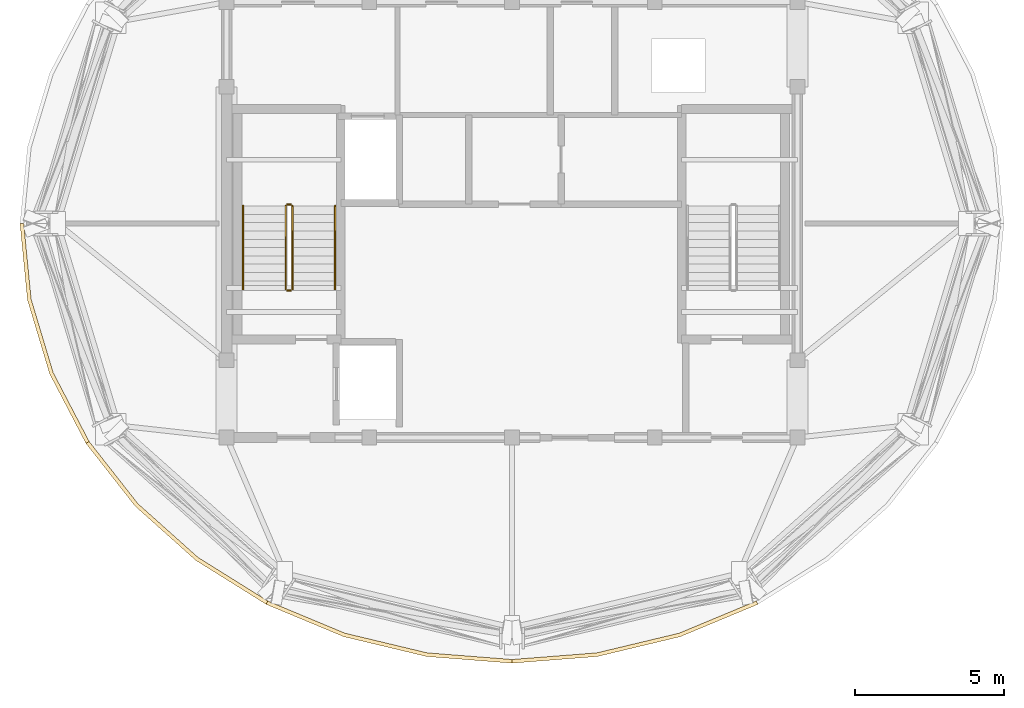
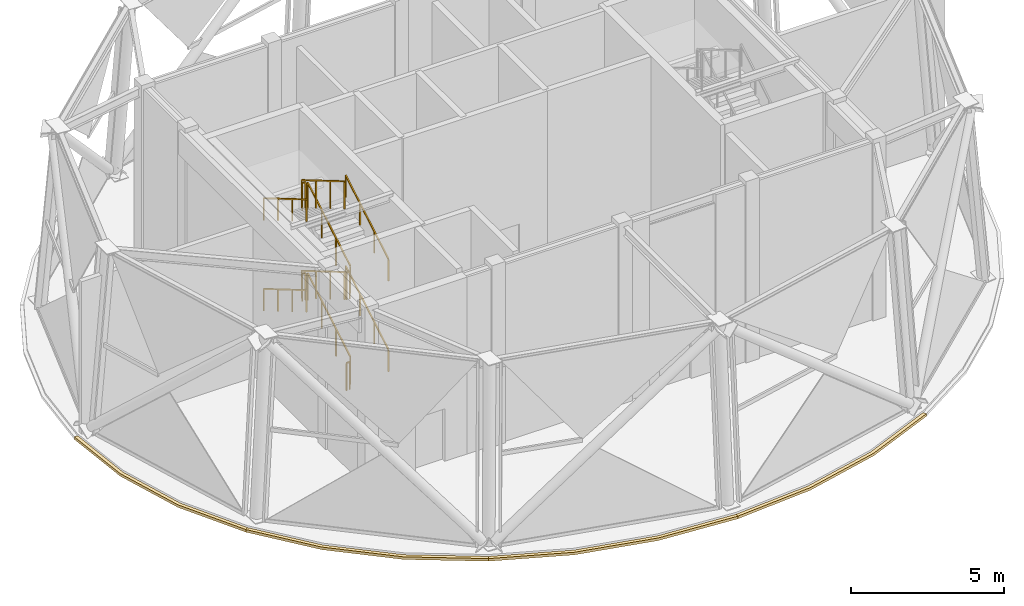
# One storey, part 7 of 9: 12 railings, 4 coverings.
"""IFC4 building model written with IfcOpenShell, lengths in metres."""

from ifc_helpers import new_model, si_unit, direction, frame, origin, origin_2d, place, context, subcontext, project, spatial, polyline, rectangle, outline, extrude, material, layer, layer_set, type_object, element, save


model = new_model("IFC4")

# Units and contexts
model_context = context("Model", 3, precision=1e-05, world=origin(), true_north=direction((0.0, 1.0)))
body_context = subcontext(model_context, "Body", "Model", "MODEL_VIEW")
ifc_project = project(units=[si_unit("LENGTHUNIT", "METRE"), si_unit("AREAUNIT", "SQUARE_METRE"), si_unit("VOLUMEUNIT", "CUBIC_METRE"), si_unit("PLANEANGLEUNIT", "RADIAN"), si_unit("MASSUNIT", "GRAM", prefix="KILO")], contexts=[model_context])

# Site, building, storey
site_placement = place(None, origin())
site = spatial("IfcSite", under=ifc_project, at=site_placement, CompositionType="ELEMENT")
building_placement = place(site_placement, origin())
building = spatial("IfcBuilding", under=site, at=building_placement, Name="Vantalir Tower", CompositionType="ELEMENT")
storey_placement = place(building_placement, frame((0.0, 0.0, 319.0)))
storey = spatial("IfcBuildingStorey", under=building, at=storey_placement, Name="L78", CompositionType="ELEMENT", Elevation=319.0)

# Coverings
ifc_material_1 = material(Name="Anodised champagne aluminium sill fascia", Category="aluminium")
ifc_layer = layer(ifc_material_1, 0.125)
ifc_layer_set = layer_set([ifc_layer], Name="Anodised champagne aluminium sill fascia")
covering_type = type_object("IfcCoveringType", Name="COV-SLAB-FASCIA-125", PredefinedType="CLADDING", material=ifc_layer_set)
covering_1_placement = place(storey_placement, frame((0.0, 0.0, -0.179931640625)))
element("IfcCovering", 1, at=covering_1_placement, inside=storey, type_object=covering_type, Name="L78 Perimeter Slab-Edge Sill Fascia 07", PredefinedType="CLADDING", context=body_context, shape_type="SweptSolid", body=[
    extrude(outline(polyline([(14.948974609375, 25.0), (15.199951171875, 22.431884765625), (15.947021484375, 19.94091796875), (17.166015625, 17.60400390625), (17.27490234375, 17.6669921875), (16.06494140625, 19.98388671875), (15.323974609375, 22.452880859375), (15.073974609375, 25.0), (14.948974609375, 25.0)])), origin(), (0.0, 0.0, 1.0), 0.10498046875),
])
covering_2_placement = place(storey_placement, frame((0.0, 0.0, -0.179931640625)))
element("IfcCovering", 2, at=covering_2_placement, inside=storey, type_object=covering_type, Name="L78 Perimeter Slab-Edge Sill Fascia 08", PredefinedType="CLADDING", context=body_context, shape_type="SweptSolid", body=[
    extrude(outline(polyline([(17.166015625, 17.60400390625), (18.821044921875, 15.492919921875), (20.861083984375, 13.6689453125), (23.22412109375, 12.19091796875), (23.287109375, 12.299072265625), (20.94189453125, 13.764892578125), (18.9169921875, 15.572998046875), (17.27490234375, 17.6669921875), (17.166015625, 17.60400390625)])), origin(), (0.0, 0.0, 1.0), 0.10498046875),
])
covering_3_placement = place(storey_placement, frame((0.0, 0.0, -0.179931640625)))
element("IfcCovering", 3, at=covering_3_placement, inside=storey, type_object=covering_type, Name="L78 Perimeter Slab-Edge Sill Fascia 09", PredefinedType="CLADDING", context=body_context, shape_type="SweptSolid", body=[
    extrude(outline(polyline([(23.22412109375, 12.19091796875), (25.839111328125, 11.10107421875), (28.6259765625, 10.43408203125), (31.5, 10.208984375), (31.5, 10.333984375), (28.64794921875, 10.556884765625), (25.882080078125, 11.218017578125), (23.287109375, 12.299072265625), (23.22412109375, 12.19091796875)])), origin(), (0.0, 0.0, 1.0), 0.10498046875),
])
covering_4_placement = place(storey_placement, frame((0.0, 0.0, -0.179931640625)))
element("IfcCovering", 4, at=covering_4_placement, inside=storey, type_object=covering_type, Name="L78 Perimeter Slab-Edge Sill Fascia 10", PredefinedType="CLADDING", context=body_context, shape_type="SweptSolid", body=[
    extrude(outline(polyline([(31.5, 10.208984375), (34.3740234375, 10.43408203125), (37.160888671875, 11.10107421875), (39.77587890625, 12.19091796875), (39.712890625, 12.299072265625), (37.117919921875, 11.218017578125), (34.35205078125, 10.556884765625), (31.5, 10.333984375), (31.5, 10.208984375)])), origin(), (0.0, 0.0, 1.0), 0.10498046875),
])

# Railings
ifc_material_2 = material(Name="Anodised aluminium and stainless steel guard", Category="steel")
railing_type_1 = type_object("IfcRailingType", Name="RAL-GUARD-1120", PredefinedType="GUARDRAIL", material=ifc_material_2)
railing_1_placement = place(storey_placement, frame((24.110107421875, 22.7900390625, 0.164794921875)))
element("IfcRailing", 5, at=railing_1_placement, inside=storey, type_object=railing_type_1, Name="L78 ST1 stair guard 1", PredefinedType="GUARDRAIL", context=body_context, shape_type="SweptSolid", body=[
    extrude(rectangle(XDim=0.048095703125, YDim=0.048095703125, at=origin_2d()), frame((0.0, 0.0, 1.09619140625), z_axis=(0.0, 0.861851137157, 0.507161332695), x_axis=(-1.0, 0.0, 0.0)), (0.0, 0.0, 1.0), 3.248779296875),
    extrude(rectangle(XDim=0.0419921875, YDim=0.0419921875, at=origin_2d()), origin(), (0.0, 0.0, 1.0), 1.072021484375),
    extrude(rectangle(XDim=0.0419921875, YDim=0.0419921875, at=origin_2d()), frame((0.0, 0.933349609375, 0.54931640625)), (0.0, 0.0, 1.0), 1.072021484375),
    extrude(rectangle(XDim=0.0419921875, YDim=0.0419921875, at=origin_2d()), frame((0.0, 1.86669921875, 1.098388671875)), (0.0, 0.0, 1.0), 1.072021484375),
    extrude(rectangle(XDim=0.0419921875, YDim=0.0419921875, at=origin_2d()), frame((0.0, 2.800048828125, 1.647705078125)), (0.0, 0.0, 1.0), 1.072021484375),
])
railing_2_placement = place(storey_placement, frame((24.06005859375, 25.639892578125, 1.8125)))
element("IfcRailing", 6, at=railing_2_placement, inside=storey, type_object=railing_type_1, Name="L78 ST1 stair guard 2", PredefinedType="GUARDRAIL", context=body_context, shape_type="SweptSolid", body=[
    extrude(rectangle(XDim=0.048095703125, YDim=0.048095703125, at=origin_2d()), frame((0.0, 0.0, 1.09619140625), z_axis=(-1.0, 0.0, 0.0), x_axis=(0.0, -1.0, 0.0)), (0.0, 0.0, 1.0), 0.1201171875),
    extrude(rectangle(XDim=0.0419921875, YDim=0.0419921875, at=origin_2d()), origin(), (0.0, 0.0, 1.0), 1.072021484375),
    extrude(rectangle(XDim=0.0419921875, YDim=0.0419921875, at=origin_2d()), frame((-0.1201171875, 0.0, 0.0)), (0.0, 0.0, 1.0), 1.072021484375),
])
railing_3_placement = place(storey_placement, frame((23.889892578125, 25.590087890625, 1.977294921875)))
element("IfcRailing", 7, at=railing_3_placement, inside=storey, type_object=railing_type_1, Name="L78 ST1 stair guard 3", PredefinedType="GUARDRAIL", context=body_context, shape_type="SweptSolid", body=[
    extrude(rectangle(XDim=0.048095703125, YDim=0.048095703125, at=origin_2d()), frame((0.0, 0.0, 1.09619140625), z_axis=(0.0, -0.861851137157, 0.507161332695), x_axis=(1.0, 0.0, 0.0)), (0.0, 0.0, 1.0), 3.248779296875),
    extrude(rectangle(XDim=0.0419921875, YDim=0.0419921875, at=origin_2d()), origin(), (0.0, 0.0, 1.0), 1.072021484375),
    extrude(rectangle(XDim=0.0419921875, YDim=0.0419921875, at=origin_2d()), frame((0.0, -0.933349609375, 0.54931640625)), (0.0, 0.0, 1.0), 1.072021484375),
    extrude(rectangle(XDim=0.0419921875, YDim=0.0419921875, at=origin_2d()), frame((0.0, -1.86669921875, 1.098388671875)), (0.0, 0.0, 1.0), 1.072021484375),
    extrude(rectangle(XDim=0.0419921875, YDim=0.0419921875, at=origin_2d()), frame((0.0, -2.800048828125, 1.647705078125)), (0.0, 0.0, 1.0), 1.072021484375),
])
railing_4_placement = place(storey_placement, frame((24.06005859375, 22.739990234375, 3.625)))
element("IfcRailing", 8, at=railing_4_placement, inside=storey, type_object=railing_type_1, Name="L78 ST1 stair guard 4", PredefinedType="GUARDRAIL", context=body_context, shape_type="SweptSolid", body=[
    extrude(rectangle(XDim=0.048095703125, YDim=0.048095703125, at=origin_2d()), frame((0.0, 0.0, 1.09619140625), z_axis=(-1.0, 0.0, 0.0), x_axis=(0.0, -1.0, 0.0)), (0.0, 0.0, 1.0), 0.1201171875),
    extrude(rectangle(XDim=0.0419921875, YDim=0.0419921875, at=origin_2d()), origin(), (0.0, 0.0, 1.0), 1.072021484375),
    extrude(rectangle(XDim=0.0419921875, YDim=0.0419921875, at=origin_2d()), frame((-0.1201171875, 0.0, 0.0)), (0.0, 0.0, 1.0), 1.072021484375),
])
railing_5_placement = place(storey_placement, frame((24.110107421875, 22.7900390625, 3.789794921875)))
element("IfcRailing", 9, at=railing_5_placement, inside=storey, type_object=railing_type_1, Name="L78 ST1 stair guard 5", PredefinedType="GUARDRAIL", context=body_context, shape_type="SweptSolid", body=[
    extrude(rectangle(XDim=0.048095703125, YDim=0.048095703125, at=origin_2d()), frame((0.0, 0.0, 1.09619140625), z_axis=(0.0, 0.861851137157, 0.507161332695), x_axis=(-1.0, 0.0, 0.0)), (0.0, 0.0, 1.0), 3.248779296875),
    extrude(rectangle(XDim=0.0419921875, YDim=0.0419921875, at=origin_2d()), origin(), (0.0, 0.0, 1.0), 1.072021484375),
    extrude(rectangle(XDim=0.0419921875, YDim=0.0419921875, at=origin_2d()), frame((0.0, 0.933349609375, 0.54931640625)), (0.0, 0.0, 1.0), 1.072021484375),
    extrude(rectangle(XDim=0.0419921875, YDim=0.0419921875, at=origin_2d()), frame((0.0, 1.86669921875, 1.098388671875)), (0.0, 0.0, 1.0), 1.072021484375),
    extrude(rectangle(XDim=0.0419921875, YDim=0.0419921875, at=origin_2d()), frame((0.0, 2.800048828125, 1.647705078125)), (0.0, 0.0, 1.0), 1.072021484375),
])
railing_6_placement = place(storey_placement, frame((24.06005859375, 25.639892578125, 5.4375)))
element("IfcRailing", 10, at=railing_6_placement, inside=storey, type_object=railing_type_1, Name="L78 ST1 stair guard 6", PredefinedType="GUARDRAIL", context=body_context, shape_type="SweptSolid", body=[
    extrude(rectangle(XDim=0.048095703125, YDim=0.048095703125, at=origin_2d()), frame((0.0, 0.0, 1.09619140625), z_axis=(-1.0, 0.0, 0.0), x_axis=(0.0, -1.0, 0.0)), (0.0, 0.0, 1.0), 0.1201171875),
    extrude(rectangle(XDim=0.0419921875, YDim=0.0419921875, at=origin_2d()), origin(), (0.0, 0.0, 1.0), 1.072021484375),
    extrude(rectangle(XDim=0.0419921875, YDim=0.0419921875, at=origin_2d()), frame((-0.1201171875, 0.0, 0.0)), (0.0, 0.0, 1.0), 1.072021484375),
])
railing_7_placement = place(storey_placement, frame((23.889892578125, 25.590087890625, 5.602294921875)))
element("IfcRailing", 11, at=railing_7_placement, inside=storey, type_object=railing_type_1, Name="L78 ST1 stair guard 7", PredefinedType="GUARDRAIL", context=body_context, shape_type="SweptSolid", body=[
    extrude(rectangle(XDim=0.048095703125, YDim=0.048095703125, at=origin_2d()), frame((0.0, 0.0, 1.09619140625), z_axis=(0.0, -0.861851137157, 0.507161332695), x_axis=(1.0, 0.0, 0.0)), (0.0, 0.0, 1.0), 3.248779296875),
    extrude(rectangle(XDim=0.0419921875, YDim=0.0419921875, at=origin_2d()), origin(), (0.0, 0.0, 1.0), 1.072021484375),
    extrude(rectangle(XDim=0.0419921875, YDim=0.0419921875, at=origin_2d()), frame((0.0, -0.933349609375, 0.54931640625)), (0.0, 0.0, 1.0), 1.072021484375),
    extrude(rectangle(XDim=0.0419921875, YDim=0.0419921875, at=origin_2d()), frame((0.0, -1.86669921875, 1.098388671875)), (0.0, 0.0, 1.0), 1.072021484375),
    extrude(rectangle(XDim=0.0419921875, YDim=0.0419921875, at=origin_2d()), frame((0.0, -2.800048828125, 1.647705078125)), (0.0, 0.0, 1.0), 1.072021484375),
])
railing_8_placement = place(storey_placement, frame((24.06005859375, 22.739990234375, 0.0)))
element("IfcRailing", 12, at=railing_8_placement, inside=storey, type_object=railing_type_1, Name="L78 ST1 stair guard 8", PredefinedType="GUARDRAIL", context=body_context, shape_type="SweptSolid", body=[
    extrude(rectangle(XDim=0.048095703125, YDim=0.048095703125, at=origin_2d()), frame((0.0, 0.0, 1.09619140625), z_axis=(-1.0, 0.0, 0.0), x_axis=(0.0, -1.0, 0.0)), (0.0, 0.0, 1.0), 0.1201171875),
    extrude(rectangle(XDim=0.0419921875, YDim=0.0419921875, at=origin_2d()), origin(), (0.0, 0.0, 1.0), 1.072021484375),
    extrude(rectangle(XDim=0.0419921875, YDim=0.0419921875, at=origin_2d()), frame((-0.1201171875, 0.0, 0.0)), (0.0, 0.0, 1.0), 1.072021484375),
])
ifc_material_3 = material(Name="Brushed stainless steel tubular handrail", Category="steel")
railing_type_2 = type_object("IfcRailingType", Name="RAL-HANDRAIL-900", PredefinedType="HANDRAIL", material=ifc_material_3)
railing_9_placement = place(storey_placement, frame((25.550048828125, 22.7900390625, 0.164794921875)))
element("IfcRailing", 13, at=railing_9_placement, inside=storey, type_object=railing_type_2, Name="L78 ST1 stair handrail 1", PredefinedType="HANDRAIL", context=body_context, shape_type="SweptSolid", body=[
    extrude(rectangle(XDim=0.048095703125, YDim=0.048095703125, at=origin_2d()), frame((0.0, 0.0, 0.8759765625), z_axis=(0.0, 0.861851137157, 0.507161332695), x_axis=(-1.0, 0.0, 0.0)), (0.0, 0.0, 1.0), 3.248779296875),
    extrude(rectangle(XDim=0.0419921875, YDim=0.0419921875, at=origin_2d()), origin(), (0.0, 0.0, 1.0), 0.851806640625),
    extrude(rectangle(XDim=0.0419921875, YDim=0.0419921875, at=origin_2d()), frame((0.0, 0.933349609375, 0.54931640625)), (0.0, 0.0, 1.0), 0.851806640625),
    extrude(rectangle(XDim=0.0419921875, YDim=0.0419921875, at=origin_2d()), frame((0.0, 1.86669921875, 1.098388671875)), (0.0, 0.0, 1.0), 0.851806640625),
    extrude(rectangle(XDim=0.0419921875, YDim=0.0419921875, at=origin_2d()), frame((0.0, 2.800048828125, 1.647705078125)), (0.0, 0.0, 1.0), 0.851806640625),
])
railing_10_placement = place(storey_placement, frame((22.449951171875, 25.590087890625, 1.977294921875)))
element("IfcRailing", 14, at=railing_10_placement, inside=storey, type_object=railing_type_2, Name="L78 ST1 stair handrail 2", PredefinedType="HANDRAIL", context=body_context, shape_type="SweptSolid", body=[
    extrude(rectangle(XDim=0.048095703125, YDim=0.048095703125, at=origin_2d()), frame((0.0, 0.0, 0.8759765625), z_axis=(0.0, -0.861851137157, 0.507161332695), x_axis=(1.0, 0.0, 0.0)), (0.0, 0.0, 1.0), 3.248779296875),
    extrude(rectangle(XDim=0.0419921875, YDim=0.0419921875, at=origin_2d()), origin(), (0.0, 0.0, 1.0), 0.851806640625),
    extrude(rectangle(XDim=0.0419921875, YDim=0.0419921875, at=origin_2d()), frame((0.0, -0.933349609375, 0.54931640625)), (0.0, 0.0, 1.0), 0.851806640625),
    extrude(rectangle(XDim=0.0419921875, YDim=0.0419921875, at=origin_2d()), frame((0.0, -1.86669921875, 1.098388671875)), (0.0, 0.0, 1.0), 0.851806640625),
    extrude(rectangle(XDim=0.0419921875, YDim=0.0419921875, at=origin_2d()), frame((0.0, -2.800048828125, 1.647705078125)), (0.0, 0.0, 1.0), 0.851806640625),
])
railing_11_placement = place(storey_placement, frame((25.550048828125, 22.7900390625, 3.789794921875)))
element("IfcRailing", 15, at=railing_11_placement, inside=storey, type_object=railing_type_2, Name="L78 ST1 stair handrail 3", PredefinedType="HANDRAIL", context=body_context, shape_type="SweptSolid", body=[
    extrude(rectangle(XDim=0.048095703125, YDim=0.048095703125, at=origin_2d()), frame((0.0, 0.0, 0.8759765625), z_axis=(0.0, 0.861851137157, 0.507161332695), x_axis=(-1.0, 0.0, 0.0)), (0.0, 0.0, 1.0), 3.248779296875),
    extrude(rectangle(XDim=0.0419921875, YDim=0.0419921875, at=origin_2d()), origin(), (0.0, 0.0, 1.0), 0.851806640625),
    extrude(rectangle(XDim=0.0419921875, YDim=0.0419921875, at=origin_2d()), frame((0.0, 0.933349609375, 0.54931640625)), (0.0, 0.0, 1.0), 0.851806640625),
    extrude(rectangle(XDim=0.0419921875, YDim=0.0419921875, at=origin_2d()), frame((0.0, 1.86669921875, 1.098388671875)), (0.0, 0.0, 1.0), 0.851806640625),
    extrude(rectangle(XDim=0.0419921875, YDim=0.0419921875, at=origin_2d()), frame((0.0, 2.800048828125, 1.647705078125)), (0.0, 0.0, 1.0), 0.851806640625),
])
railing_12_placement = place(storey_placement, frame((22.449951171875, 25.590087890625, 5.602294921875)))
element("IfcRailing", 16, at=railing_12_placement, inside=storey, type_object=railing_type_2, Name="L78 ST1 stair handrail 4", PredefinedType="HANDRAIL", context=body_context, shape_type="SweptSolid", body=[
    extrude(rectangle(XDim=0.048095703125, YDim=0.048095703125, at=origin_2d()), frame((0.0, 0.0, 0.8759765625), z_axis=(0.0, -0.861851137157, 0.507161332695), x_axis=(1.0, 0.0, 0.0)), (0.0, 0.0, 1.0), 3.248779296875),
    extrude(rectangle(XDim=0.0419921875, YDim=0.0419921875, at=origin_2d()), origin(), (0.0, 0.0, 1.0), 0.851806640625),
    extrude(rectangle(XDim=0.0419921875, YDim=0.0419921875, at=origin_2d()), frame((0.0, -0.933349609375, 0.54931640625)), (0.0, 0.0, 1.0), 0.851806640625),
    extrude(rectangle(XDim=0.0419921875, YDim=0.0419921875, at=origin_2d()), frame((0.0, -1.86669921875, 1.098388671875)), (0.0, 0.0, 1.0), 0.851806640625),
    extrude(rectangle(XDim=0.0419921875, YDim=0.0419921875, at=origin_2d()), frame((0.0, -2.800048828125, 1.647705078125)), (0.0, 0.0, 1.0), 0.851806640625),
])

save(model, "model.ifc")
